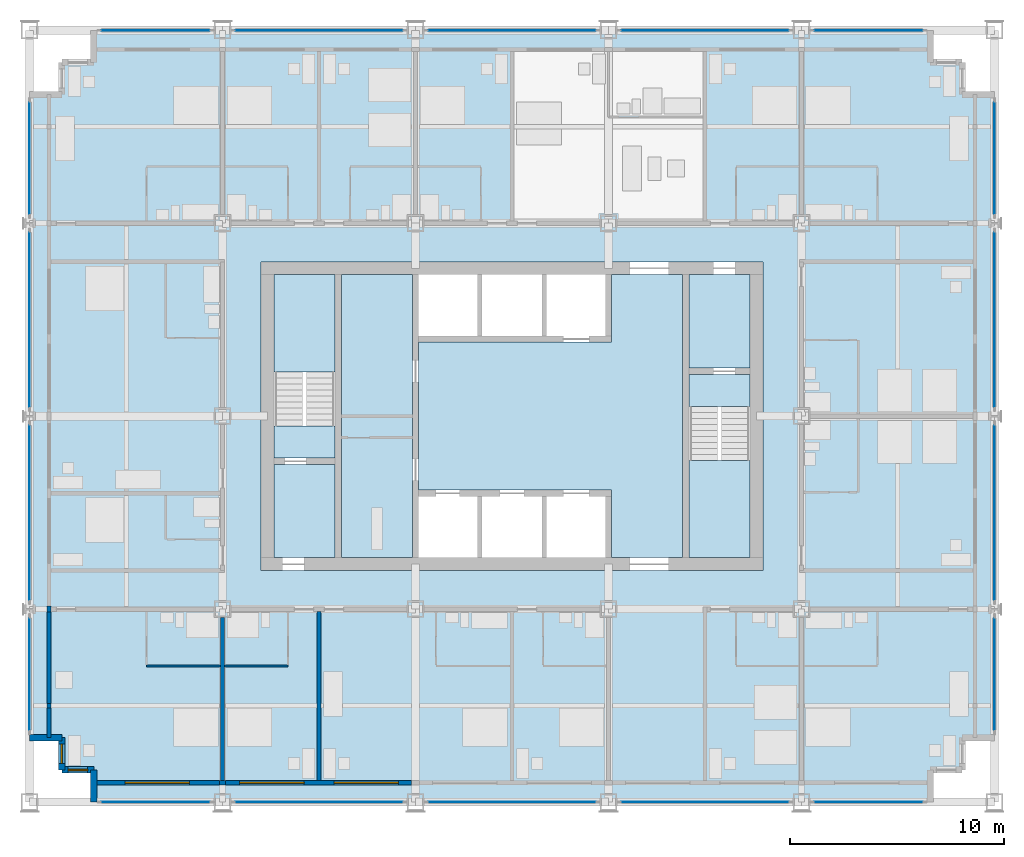
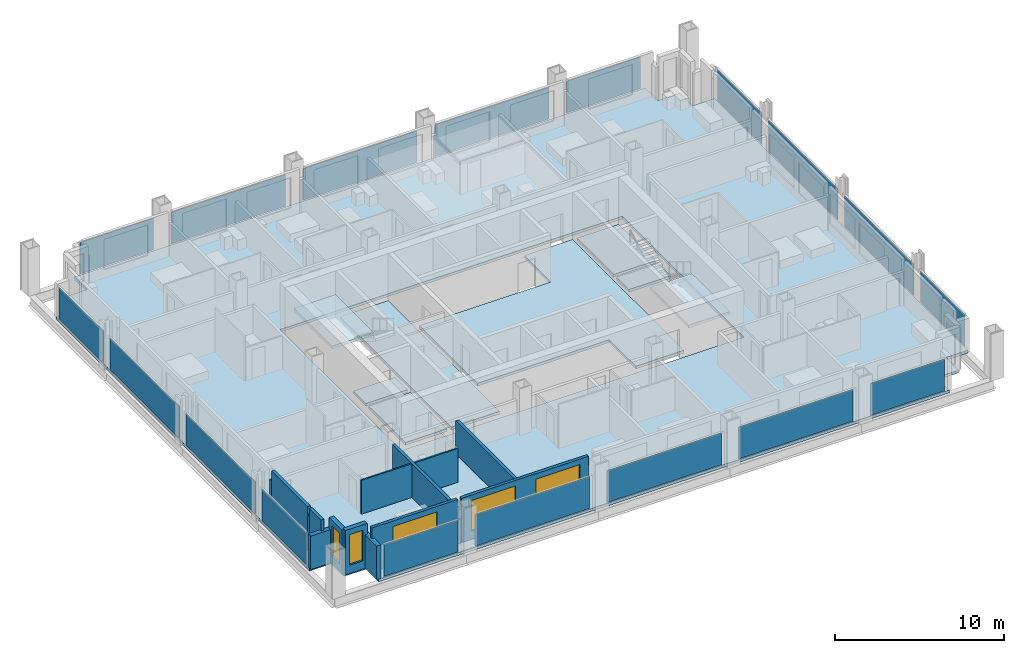
# One storey, part 8 of 16: 18 plates, 15 walls, 9 slabs, 5 windows, 5 openings, 20 elements without a shape of their own.
"""IFC4 building model written with IfcOpenShell, lengths in metres."""

import ifcopenshell
import ifcopenshell.guid

model = None  # the IFC model being written
_history = None  # IfcOwnerHistory: only IFC2X3 demands one
_inside = {}  # id of a spatial element -> (the spatial element, [elements in it])
_under = {}  # id of a project, library or spatial element -> (it, [spatial elements below it])
_declared = {}  # id of a project -> (the project, [libraries it declares])
_typed = {}  # id of a type object -> (the type object, [elements of that type])
_made_of = {}  # id of a material, layer set ... -> (it, [elements and type objects made of it])


def new_model(schema):
    """Start an empty IFC model of exactly this schema.

    Asked for "IFC4X3", IfcOpenShell would pick the latest addendum, in which some entities
    have other attributes; the version numbers below select the first issue.
    IFC2X3 requires an IfcOwnerHistory on every rooted entity: one is made here for all.
    """
    global model, _history
    if schema == "IFC4X3":
        model = ifcopenshell.file(schema_version=(4, 3, 0, 0))
    else:
        model = ifcopenshell.file(schema=schema)
    _inside.clear()
    _under.clear()
    _declared.clear()
    _typed.clear()
    _made_of.clear()
    _history = None
    if model.schema == "IFC2X3":
        org = make("IfcOrganization", Name="unknown")
        user = make(
            "IfcPersonAndOrganization",
            ThePerson=make("IfcPerson", FamilyName="unknown"),
            TheOrganization=org,
        )
        app = make(
            "IfcApplication",
            ApplicationDeveloper=org,
            Version="unknown",
            ApplicationFullName="unknown",
            ApplicationIdentifier="unknown",
        )
        _history = make(
            "IfcOwnerHistory",
            OwningUser=user,
            OwningApplication=app,
            ChangeAction="ADDED",
            CreationDate=0,
        )
    return model


def make(cls, **values):
    """One entity of the class cls with the attributes given. An attribute that is None is left unset."""
    return model.create_entity(
        cls, **{name: value for name, value in values.items() if value is not None}
    )


def rooted(cls, **values):
    """An entity with a GlobalId (a new one), such as an element, a storey or a relation."""
    return make(cls, GlobalId=ifcopenshell.guid.new(), OwnerHistory=_history, **values)


def si_unit(unit_type, name, prefix=None):
    """IfcSIUnit, for example si_unit("LENGTHUNIT", "METRE", prefix="MILLI")."""
    return make("IfcSIUnit", UnitType=unit_type, Prefix=prefix, Name=name)


def assignment(units):
    """IfcUnitAssignment: the units of a project."""
    return None if units is None else make("IfcUnitAssignment", Units=units)


def point(xyz):
    """IfcCartesianPoint."""
    return None if xyz is None else make("IfcCartesianPoint", Coordinates=xyz)


def direction(xyz):
    """IfcDirection."""
    return None if xyz is None else make("IfcDirection", DirectionRatios=xyz)


def frame(location, z_axis=None, x_axis=None):
    """IfcAxis2Placement3D, a coordinate frame: its origin and axes. An axis left out is left unset."""
    return make(
        "IfcAxis2Placement3D",
        Location=point(location),
        Axis=direction(z_axis),
        RefDirection=direction(x_axis),
    )


def frame_2d(location, x_axis=None):
    """IfcAxis2Placement2D, a coordinate frame in the plane: its origin and x axis."""
    return make(
        "IfcAxis2Placement2D", Location=point(location), RefDirection=direction(x_axis)
    )


def origin():
    """The frame at (0, 0, 0) with its axes left unset."""
    return frame((0.0, 0.0, 0.0))


def origin_2d():
    """The frame at (0, 0) in the plane with its x axis left unset."""
    return frame_2d((0.0, 0.0))


def place(relative_to, where):
    """IfcLocalPlacement: puts the frame where relative to a parent placement (None: the world)."""
    return make(
        "IfcLocalPlacement", PlacementRelTo=relative_to, RelativePlacement=where
    )


def context(
    kind, dimensions, precision=None, world=None, true_north=None, identifier=None
):
    """IfcGeometricRepresentationContext, for example the 3D "Model" context."""
    return make(
        "IfcGeometricRepresentationContext",
        ContextIdentifier=identifier,
        ContextType=kind,
        CoordinateSpaceDimension=dimensions,
        Precision=precision,
        WorldCoordinateSystem=world,
        TrueNorth=true_north,
    )


def subcontext(parent, identifier, kind, view, scale=None):
    """IfcGeometricRepresentationSubContext, for example "Body" below "Model"."""
    return make(
        "IfcGeometricRepresentationSubContext",
        ContextIdentifier=identifier,
        ContextType=kind,
        ParentContext=parent,
        TargetScale=scale,
        TargetView=view,
    )


def project(units=None, contexts=None):
    """IfcProject with its units and contexts."""
    return rooted(
        "IfcProject",
        Name="project",
        RepresentationContexts=contexts,
        UnitsInContext=assignment(units),
    )


def spatial(cls, under=None, at=None, **own):
    """A site, building, storey or space (cls), placed at a placement, below another one or the project."""
    s = rooted(cls, ObjectPlacement=at, **own)
    if under is not None:
        _under.setdefault(under.id(), (under, []))[1].append(s)
    return s


def polyline(points):
    """IfcPolyline through the points."""
    return make("IfcPolyline", Points=[point(p) for p in points])


def profile(cls, at=None, kind="AREA", **sizes):
    """A parametric profile (cls). Its sizes go by their IFC names, for example OverallWidth=200.0."""
    return make(cls, ProfileType=kind, Position=at, **sizes)


def rectangle(**sizes):
    """IfcRectangleProfileDef."""
    return profile("IfcRectangleProfileDef", **sizes)


def outline(outer, holes=None, kind="AREA"):
    """IfcArbitraryClosedProfileDef: a profile drawn as a closed curve; with holes, ...WithVoids."""
    if holes is None:
        return make("IfcArbitraryClosedProfileDef", ProfileType=kind, OuterCurve=outer)
    return make(
        "IfcArbitraryProfileDefWithVoids",
        ProfileType=kind,
        OuterCurve=outer,
        InnerCurves=holes,
    )


def extrude(swept, where, along, depth):
    """IfcExtrudedAreaSolid: the profile swept, set in the frame where, extruded along a direction by depth."""
    return make(
        "IfcExtrudedAreaSolid",
        SweptArea=swept,
        Position=where,
        ExtrudedDirection=direction(along),
        Depth=depth,
    )


def shape(context_of_items, identifier, shape_type, items):
    """IfcShapeRepresentation: the items that make up one representation, for example the "Body"."""
    return make(
        "IfcShapeRepresentation",
        ContextOfItems=context_of_items,
        RepresentationIdentifier=identifier,
        RepresentationType=shape_type,
        Items=items,
    )


def material(Name=None, Category=None):
    """IfcMaterial."""
    return make("IfcMaterial", Name=Name, Category=Category)


def layer(
    of_material, thickness, ventilated=None, Name=None, Category=None, Priority=None
):
    """IfcMaterialLayer: one layer of a wall or slab, of a material (None: an air gap)."""
    return make(
        "IfcMaterialLayer",
        Material=of_material,
        LayerThickness=thickness,
        IsVentilated=ventilated,
        Name=Name,
        Category=Category,
        Priority=Priority,
    )


def layer_set(layers, Name=None):
    """IfcMaterialLayerSet."""
    return make("IfcMaterialLayerSet", MaterialLayers=layers, LayerSetName=Name)


def made_of(thing, what):
    """Note that an element or type object is made of a material, layer set ...; save() writes the relation."""
    if what is not None:
        _made_of.setdefault(what.id(), (what, []))[1].append(thing)
    return thing


def type_object(cls, material=None, **own):
    """A type object (cls), such as IfcWallType, which elements share."""
    return made_of(rooted(cls, **own), material)


def element(
    cls,
    number,
    at=None,
    inside=None,
    cuts=None,
    type_object=None,
    material=None,
    context=None,
    identifier="Body",
    shape_type=None,
    held_by="IfcProductDefinitionShape",
    body=None,
    shapes=None,
    **own,
):
    """One element of the class cls, such as IfcWall. Its Tag is "e" and its number.

    at: its placement. inside: the storey or other place that contains it. cuts: it is an
    opening in that element (IfcRelVoidsElement). A single representation is given by context,
    identifier, shape_type and body (its items); several are given by shapes. held_by: the class
    of the entity that holds the representations. save() writes the other relations.
    """
    e = rooted(cls, Tag="e%d" % number, ObjectPlacement=at, **own)
    if body is not None:
        shapes = [shape(context, identifier, shape_type, body)]
    if shapes is not None:
        e.Representation = make(held_by, Representations=shapes)
    if inside is not None:
        _inside.setdefault(inside.id(), (inside, []))[1].append(e)
    if cuts is not None:
        rooted(
            "IfcRelVoidsElement", RelatingBuildingElement=cuts, RelatedOpeningElement=e
        )
    if type_object is not None:
        _typed.setdefault(type_object.id(), (type_object, []))[1].append(e)
    return made_of(e, material)


def fill(opening, filler):
    """IfcRelFillsElement: the door or window that sits in an opening."""
    return rooted(
        "IfcRelFillsElement",
        RelatingOpeningElement=opening,
        RelatedBuildingElement=filler,
    )


def aggregate(whole, parts):
    """IfcRelAggregates: a whole, such as a stair, and the parts it consists of."""
    return rooted("IfcRelAggregates", RelatingObject=whole, RelatedObjects=parts)


def save(model, path):
    """Write the relations noted so far, then the file.

    IfcRelAggregates (storeys below a building ...), IfcRelContainedInSpatialStructure (elements
    in a storey), IfcRelDefinesByType, IfcRelAssociatesMaterial and IfcRelDeclares: one each for
    every whole, place, type object, material and project.
    """
    for whole, parts in _under.values():
        aggregate(whole, parts)
    for where, things in _inside.values():
        rooted(
            "IfcRelContainedInSpatialStructure",
            RelatedElements=things,
            RelatingStructure=where,
        )
    for kind, things in _typed.values():
        rooted("IfcRelDefinesByType", RelatedObjects=things, RelatingType=kind)
    for what, things in _made_of.values():
        rooted("IfcRelAssociatesMaterial", RelatedObjects=things, RelatingMaterial=what)
    for by, libraries in _declared.values():
        rooted("IfcRelDeclares", RelatingContext=by, RelatedDefinitions=libraries)
    model.write(path)


model = new_model("IFC4")

# Units and contexts
model_context = context("Model", 3, precision=1e-05, world=origin(), true_north=direction((0.0, 1.0)))
body_context = subcontext(model_context, "Body", "Model", "MODEL_VIEW")
ifc_project = project(units=[si_unit("LENGTHUNIT", "METRE"), si_unit("AREAUNIT", "SQUARE_METRE"), si_unit("VOLUMEUNIT", "CUBIC_METRE"), si_unit("PLANEANGLEUNIT", "RADIAN"), si_unit("MASSUNIT", "GRAM", prefix="KILO")], contexts=[model_context])

# Site, building, storey
site_placement = place(None, origin())
site = spatial("IfcSite", under=ifc_project, at=site_placement, CompositionType="ELEMENT")
building_placement = place(site_placement, origin())
building = spatial("IfcBuilding", under=site, at=building_placement, Name="Loomwork Tower", CompositionType="ELEMENT")
storey_placement = place(building_placement, frame((0.0, 0.0, 101.0)))
storey = spatial("IfcBuildingStorey", under=building, at=storey_placement, Name="L26", CompositionType="ELEMENT", Elevation=101.0)

# Slabs
ifc_material_1 = material(Name="Concrete 5000 psi (34 MPa) on composite metal deck", Category="concrete")
ifc_layer_1 = layer(ifc_material_1, 0.199951171875)
ifc_layer_set_1 = layer_set([ifc_layer_1], Name="Floor slab 200")
slab_type_1 = type_object("IfcSlabType", Name="Floor slab 200", PredefinedType="FLOOR", material=ifc_layer_set_1)
slab_1_placement = place(storey_placement, frame((0.0, 0.0, -0.199951171875)))
element("IfcSlab", 1, at=slab_1_placement, inside=storey, type_object=slab_type_1, Name="Floor slab L26", PredefinedType="FLOOR", context=body_context, shape_type="SweptSolid", body=[
    extrude(outline(polyline([(3.0, 1.5), (1.5, 1.5), (1.5, 3.0), (0.0, 3.0), (0.0, 33.0), (1.5, 33.0), (1.5, 34.5), (3.0, 34.5), (3.0, 36.0), (42.0, 36.0), (42.0, 34.5), (43.5, 34.5), (43.5, 33.0), (45.0, 33.0), (45.0, 3.0), (43.5, 3.0), (43.5, 1.5), (42.0, 1.5), (42.0, 0.0), (3.0, 0.0), (3.0, 1.5)]), holes=[polyline([(10.800048828125, 11.39990234375), (10.800048828125, 11.39990234375), (10.800048828125, 10.800048828125), (34.199951171875, 10.800048828125), (34.199951171875, 11.39990234375), (34.199951171875, 11.39990234375), (34.199951171875, 24.60009765625), (34.199951171875, 25.199951171875), (10.800048828125, 25.199951171875), (10.800048828125, 24.60009765625), (10.800048828125, 11.39990234375)])]), origin(), (0.0, 0.0, 1.0), 0.199951171875),
])
slab_2_placement = place(storey_placement, frame((0.0, 0.0, -0.199951171875)))
element("IfcSlab", 2, at=slab_2_placement, inside=storey, type_object=slab_type_1, Name="Floor slab L26", PredefinedType="FLOOR", context=body_context, shape_type="SweptSolid", body=[
    extrude(outline(polyline([(30.449951171875, 24.60009765625), (30.449951171875, 11.39990234375), (27.14990234375, 11.39990234375), (27.14990234375, 14.25), (27.14990234375, 14.550048828125), (18.14990234375, 14.550048828125), (18.14990234375, 21.449951171875), (27.14990234375, 21.449951171875), (27.14990234375, 21.75), (27.14990234375, 24.60009765625), (30.449951171875, 24.60009765625)])), origin(), (0.0, 0.0, 1.0), 0.199951171875),
])
slab_3_placement = place(storey_placement, frame((0.0, 0.0, -0.199951171875)))
element("IfcSlab", 3, at=slab_3_placement, inside=storey, type_object=slab_type_1, Name="Floor slab L26", PredefinedType="FLOOR", context=body_context, shape_type="SweptSolid", body=[
    extrude(outline(polyline([(14.550048828125, 11.39990234375), (14.550048828125, 24.60009765625), (17.85009765625, 24.60009765625), (17.85009765625, 11.39990234375), (14.550048828125, 11.39990234375)])), origin(), (0.0, 0.0, 1.0), 0.199951171875),
])
slab_4_placement = place(storey_placement, frame((0.0, 0.0, -0.199951171875)))
element("IfcSlab", 4, at=slab_4_placement, inside=storey, type_object=slab_type_1, Name="Floor slab L26", PredefinedType="FLOOR", context=body_context, shape_type="SweptSolid", body=[
    extrude(outline(polyline([(33.60009765625, 20.25), (30.75, 20.25), (30.75, 24.60009765625), (33.60009765625, 24.60009765625), (33.60009765625, 20.25)])), origin(), (0.0, 0.0, 1.0), 0.199951171875),
])
slab_5_placement = place(storey_placement, frame((0.0, 0.0, -0.199951171875)))
element("IfcSlab", 5, at=slab_5_placement, inside=storey, type_object=slab_type_1, Name="Floor slab L26", PredefinedType="FLOOR", context=body_context, shape_type="SweptSolid", body=[
    extrude(outline(polyline([(14.25, 15.75), (14.25, 11.39990234375), (11.39990234375, 11.39990234375), (11.39990234375, 15.75), (14.25, 15.75)])), origin(), (0.0, 0.0, 1.0), 0.199951171875),
])

# Curtain wall, plate
ifc_material_2 = material(Name="Aluminium curtain wall frame", Category="aluminium")
curtain_wall_type = type_object("IfcCurtainWallType", Name="Outer skin glazing hotel", PredefinedType="NOTDEFINED", material=ifc_material_2)
curtain_wall_1_placement = place(storey_placement, origin())
curtain_wall_1 = element("IfcCurtainWall", 6, at=curtain_wall_1_placement, inside=storey, type_object=curtain_wall_type, Name="Outer skin glazing hotel cw/S-0", PredefinedType="NOTDEFINED")
ifc_material_3 = material(Name="Clear laminated glass", Category="glass")
ifc_layer_2 = layer(ifc_material_3, 0.02392578125)
ifc_layer_set_2 = layer_set([ifc_layer_2], Name="Outer skin glazing hotel panel")
plate_type = type_object("IfcPlateType", Name="Outer skin glazing hotel panel", PredefinedType="CURTAIN_PANEL", material=ifc_layer_set_2)
plate_1_placement = place(storey_placement, frame((5.875, 0.0, 0.06494140625), z_axis=(0.0, 0.0, 1.0), x_axis=(1.0, 0.0, 0.0)))
plate_1 = element("IfcPlate", 7, at=plate_1_placement, type_object=plate_type, Name="CW1 panel 1.1", PredefinedType="CURTAIN_PANEL", context=body_context, shape_type="SweptSolid", body=[
    extrude(rectangle(XDim=5.050048828125, YDim=0.02392578125, at=origin_2d()), origin(), (0.0, 0.0, 1.0), 2.290283203125),
])
aggregate(curtain_wall_1, [plate_1])

curtain_wall_2_placement = place(storey_placement, origin())
curtain_wall_2 = element("IfcCurtainWall", 8, at=curtain_wall_2_placement, inside=storey, type_object=curtain_wall_type, Name="Outer skin glazing hotel cw/S-9", PredefinedType="NOTDEFINED")
plate_2_placement = place(storey_placement, frame((13.5, 0.0, 0.06494140625), z_axis=(0.0, 0.0, 1.0), x_axis=(1.0, 0.0, 0.0)))
plate_2 = element("IfcPlate", 9, at=plate_2_placement, type_object=plate_type, Name="CW1 panel 1.1", PredefinedType="CURTAIN_PANEL", context=body_context, shape_type="SweptSolid", body=[
    extrude(rectangle(XDim=7.800048828125, YDim=0.02392578125, at=origin_2d()), origin(), (0.0, 0.0, 1.0), 2.290283203125),
])
aggregate(curtain_wall_2, [plate_2])

curtain_wall_3_placement = place(storey_placement, origin())
curtain_wall_3 = element("IfcCurtainWall", 10, at=curtain_wall_3_placement, inside=storey, type_object=curtain_wall_type, Name="Outer skin glazing hotel cw/S-18", PredefinedType="NOTDEFINED")
plate_3_placement = place(storey_placement, frame((22.5, 0.0, 0.06494140625), z_axis=(0.0, 0.0, 1.0), x_axis=(1.0, 0.0, 0.0)))
plate_3 = element("IfcPlate", 11, at=plate_3_placement, type_object=plate_type, Name="CW1 panel 1.1", PredefinedType="CURTAIN_PANEL", context=body_context, shape_type="SweptSolid", body=[
    extrude(rectangle(XDim=7.800048828125, YDim=0.02392578125, at=origin_2d()), origin(), (0.0, 0.0, 1.0), 2.290283203125),
])
aggregate(curtain_wall_3, [plate_3])

curtain_wall_4_placement = place(storey_placement, origin())
curtain_wall_4 = element("IfcCurtainWall", 12, at=curtain_wall_4_placement, inside=storey, type_object=curtain_wall_type, Name="Outer skin glazing hotel cw/S-27", PredefinedType="NOTDEFINED")
plate_4_placement = place(storey_placement, frame((31.5, 0.0, 0.06494140625), z_axis=(0.0, 0.0, 1.0), x_axis=(1.0, 0.0, 0.0)))
plate_4 = element("IfcPlate", 13, at=plate_4_placement, type_object=plate_type, Name="CW1 panel 1.1", PredefinedType="CURTAIN_PANEL", context=body_context, shape_type="SweptSolid", body=[
    extrude(rectangle(XDim=7.800048828125, YDim=0.02392578125, at=origin_2d()), origin(), (0.0, 0.0, 1.0), 2.290283203125),
])
aggregate(curtain_wall_4, [plate_4])

curtain_wall_5_placement = place(storey_placement, origin())
curtain_wall_5 = element("IfcCurtainWall", 14, at=curtain_wall_5_placement, inside=storey, type_object=curtain_wall_type, Name="Outer skin glazing hotel cw/S-36", PredefinedType="NOTDEFINED")
plate_5_placement = place(storey_placement, frame((39.125, 0.0, 0.06494140625), z_axis=(0.0, 0.0, 1.0), x_axis=(1.0, 0.0, 0.0)))
plate_5 = element("IfcPlate", 15, at=plate_5_placement, type_object=plate_type, Name="CW1 panel 1.1", PredefinedType="CURTAIN_PANEL", context=body_context, shape_type="SweptSolid", body=[
    extrude(rectangle(XDim=5.050048828125, YDim=0.02392578125, at=origin_2d()), origin(), (0.0, 0.0, 1.0), 2.290283203125),
])
aggregate(curtain_wall_5, [plate_5])

curtain_wall_6_placement = place(storey_placement, origin())
curtain_wall_6 = element("IfcCurtainWall", 16, at=curtain_wall_6_placement, inside=storey, type_object=curtain_wall_type, Name="Outer skin glazing hotel cw/N-0", PredefinedType="NOTDEFINED")
plate_6_placement = place(storey_placement, frame((5.875, 36.0, 0.06494140625), z_axis=(0.0, 0.0, 1.0), x_axis=(-1.0, 0.0, 0.0)))
plate_6 = element("IfcPlate", 17, at=plate_6_placement, type_object=plate_type, Name="CW1 panel 1.1", PredefinedType="CURTAIN_PANEL", context=body_context, shape_type="SweptSolid", body=[
    extrude(rectangle(XDim=5.050048828125, YDim=0.02392578125, at=origin_2d()), origin(), (0.0, 0.0, 1.0), 2.290283203125),
])
aggregate(curtain_wall_6, [plate_6])

curtain_wall_7_placement = place(storey_placement, origin())
curtain_wall_7 = element("IfcCurtainWall", 18, at=curtain_wall_7_placement, inside=storey, type_object=curtain_wall_type, Name="Outer skin glazing hotel cw/N-9", PredefinedType="NOTDEFINED")
plate_7_placement = place(storey_placement, frame((13.5, 36.0, 0.06494140625), z_axis=(0.0, 0.0, 1.0), x_axis=(-1.0, 0.0, 0.0)))
plate_7 = element("IfcPlate", 19, at=plate_7_placement, type_object=plate_type, Name="CW1 panel 1.1", PredefinedType="CURTAIN_PANEL", context=body_context, shape_type="SweptSolid", body=[
    extrude(rectangle(XDim=7.800048828125, YDim=0.02392578125, at=origin_2d()), origin(), (0.0, 0.0, 1.0), 2.290283203125),
])
aggregate(curtain_wall_7, [plate_7])

curtain_wall_8_placement = place(storey_placement, origin())
curtain_wall_8 = element("IfcCurtainWall", 20, at=curtain_wall_8_placement, inside=storey, type_object=curtain_wall_type, Name="Outer skin glazing hotel cw/N-18", PredefinedType="NOTDEFINED")
plate_8_placement = place(storey_placement, frame((22.5, 36.0, 0.06494140625), z_axis=(0.0, 0.0, 1.0), x_axis=(-1.0, 0.0, 0.0)))
plate_8 = element("IfcPlate", 21, at=plate_8_placement, type_object=plate_type, Name="CW1 panel 1.1", PredefinedType="CURTAIN_PANEL", context=body_context, shape_type="SweptSolid", body=[
    extrude(rectangle(XDim=7.800048828125, YDim=0.02392578125, at=origin_2d()), origin(), (0.0, 0.0, 1.0), 2.290283203125),
])
aggregate(curtain_wall_8, [plate_8])

curtain_wall_9_placement = place(storey_placement, origin())
curtain_wall_9 = element("IfcCurtainWall", 22, at=curtain_wall_9_placement, inside=storey, type_object=curtain_wall_type, Name="Outer skin glazing hotel cw/N-27", PredefinedType="NOTDEFINED")
plate_9_placement = place(storey_placement, frame((31.5, 36.0, 0.06494140625), z_axis=(0.0, 0.0, 1.0), x_axis=(-1.0, 0.0, 0.0)))
plate_9 = element("IfcPlate", 23, at=plate_9_placement, type_object=plate_type, Name="CW1 panel 1.1", PredefinedType="CURTAIN_PANEL", context=body_context, shape_type="SweptSolid", body=[
    extrude(rectangle(XDim=7.800048828125, YDim=0.02392578125, at=origin_2d()), origin(), (0.0, 0.0, 1.0), 2.290283203125),
])
aggregate(curtain_wall_9, [plate_9])

curtain_wall_10_placement = place(storey_placement, origin())
curtain_wall_10 = element("IfcCurtainWall", 24, at=curtain_wall_10_placement, inside=storey, type_object=curtain_wall_type, Name="Outer skin glazing hotel cw/N-36", PredefinedType="NOTDEFINED")
plate_10_placement = place(storey_placement, frame((39.125, 36.0, 0.06494140625), z_axis=(0.0, 0.0, 1.0), x_axis=(-1.0, 0.0, 0.0)))
plate_10 = element("IfcPlate", 25, at=plate_10_placement, type_object=plate_type, Name="CW1 panel 1.1", PredefinedType="CURTAIN_PANEL", context=body_context, shape_type="SweptSolid", body=[
    extrude(rectangle(XDim=5.050048828125, YDim=0.02392578125, at=origin_2d()), origin(), (0.0, 0.0, 1.0), 2.290283203125),
])
aggregate(curtain_wall_10, [plate_10])

curtain_wall_11_placement = place(storey_placement, origin())
curtain_wall_11 = element("IfcCurtainWall", 26, at=curtain_wall_11_placement, inside=storey, type_object=curtain_wall_type, Name="Outer skin glazing hotel cw/W-0", PredefinedType="NOTDEFINED")
plate_11_placement = place(storey_placement, frame((0.0, 5.962646484375, 0.06494140625), z_axis=(0.0, 0.0, 1.0), x_axis=(0.0, -1.0, 0.0)))
plate_11 = element("IfcPlate", 27, at=plate_11_placement, type_object=plate_type, Name="CW1 panel 1.1", PredefinedType="CURTAIN_PANEL", context=body_context, shape_type="SweptSolid", body=[
    extrude(rectangle(XDim=5.22509765625, YDim=0.02392578125, at=origin_2d()), origin(), (0.0, 0.0, 1.0), 2.290283203125),
])
aggregate(curtain_wall_11, [plate_11])

curtain_wall_12_placement = place(storey_placement, origin())
curtain_wall_12 = element("IfcCurtainWall", 28, at=curtain_wall_12_placement, inside=storey, type_object=curtain_wall_type, Name="Outer skin glazing hotel cw/W-9", PredefinedType="NOTDEFINED")
plate_12_placement = place(storey_placement, frame((0.0, 13.5, 0.06494140625), z_axis=(0.0, 0.0, 1.0), x_axis=(0.0, -1.0, 0.0)))
plate_12 = element("IfcPlate", 29, at=plate_12_placement, type_object=plate_type, Name="CW1 panel 1.1", PredefinedType="CURTAIN_PANEL", context=body_context, shape_type="SweptSolid", body=[
    extrude(rectangle(XDim=8.150390625, YDim=0.02392578125, at=origin_2d()), origin(), (0.0, 0.0, 1.0), 2.290283203125),
])
aggregate(curtain_wall_12, [plate_12])

curtain_wall_13_placement = place(storey_placement, origin())
curtain_wall_13 = element("IfcCurtainWall", 30, at=curtain_wall_13_placement, inside=storey, type_object=curtain_wall_type, Name="Outer skin glazing hotel cw/W-18", PredefinedType="NOTDEFINED")
plate_13_placement = place(storey_placement, frame((0.0, 22.5, 0.06494140625), z_axis=(0.0, 0.0, 1.0), x_axis=(0.0, -1.0, 0.0)))
plate_13 = element("IfcPlate", 31, at=plate_13_placement, type_object=plate_type, Name="CW1 panel 1.1", PredefinedType="CURTAIN_PANEL", context=body_context, shape_type="SweptSolid", body=[
    extrude(rectangle(XDim=8.150390625, YDim=0.02392578125, at=origin_2d()), origin(), (0.0, 0.0, 1.0), 2.290283203125),
])
aggregate(curtain_wall_13, [plate_13])

curtain_wall_14_placement = place(storey_placement, origin())
curtain_wall_14 = element("IfcCurtainWall", 32, at=curtain_wall_14_placement, inside=storey, type_object=curtain_wall_type, Name="Outer skin glazing hotel cw/W-27", PredefinedType="NOTDEFINED")
plate_14_placement = place(storey_placement, frame((0.0, 30.037353515625, 0.06494140625), z_axis=(0.0, 0.0, 1.0), x_axis=(0.0, -1.0, 0.0)))
plate_14 = element("IfcPlate", 33, at=plate_14_placement, type_object=plate_type, Name="CW1 panel 1.1", PredefinedType="CURTAIN_PANEL", context=body_context, shape_type="SweptSolid", body=[
    extrude(rectangle(XDim=5.22509765625, YDim=0.02392578125, at=origin_2d()), origin(), (0.0, 0.0, 1.0), 2.290283203125),
])
aggregate(curtain_wall_14, [plate_14])

curtain_wall_15_placement = place(storey_placement, origin())
curtain_wall_15 = element("IfcCurtainWall", 34, at=curtain_wall_15_placement, inside=storey, type_object=curtain_wall_type, Name="Outer skin glazing hotel cw/E-0", PredefinedType="NOTDEFINED")
plate_15_placement = place(storey_placement, frame((45.0, 5.962646484375, 0.06494140625), z_axis=(0.0, 0.0, 1.0), x_axis=(0.0, 1.0, 0.0)))
plate_15 = element("IfcPlate", 35, at=plate_15_placement, type_object=plate_type, Name="CW1 panel 1.1", PredefinedType="CURTAIN_PANEL", context=body_context, shape_type="SweptSolid", body=[
    extrude(rectangle(XDim=5.22509765625, YDim=0.02392578125, at=origin_2d()), origin(), (0.0, 0.0, 1.0), 2.290283203125),
])
aggregate(curtain_wall_15, [plate_15])

curtain_wall_16_placement = place(storey_placement, origin())
curtain_wall_16 = element("IfcCurtainWall", 36, at=curtain_wall_16_placement, inside=storey, type_object=curtain_wall_type, Name="Outer skin glazing hotel cw/E-9", PredefinedType="NOTDEFINED")
plate_16_placement = place(storey_placement, frame((45.0, 13.5, 0.06494140625), z_axis=(0.0, 0.0, 1.0), x_axis=(0.0, 1.0, 0.0)))
plate_16 = element("IfcPlate", 37, at=plate_16_placement, type_object=plate_type, Name="CW1 panel 1.1", PredefinedType="CURTAIN_PANEL", context=body_context, shape_type="SweptSolid", body=[
    extrude(rectangle(XDim=8.150390625, YDim=0.02392578125, at=origin_2d()), origin(), (0.0, 0.0, 1.0), 2.290283203125),
])
aggregate(curtain_wall_16, [plate_16])

curtain_wall_17_placement = place(storey_placement, origin())
curtain_wall_17 = element("IfcCurtainWall", 38, at=curtain_wall_17_placement, inside=storey, type_object=curtain_wall_type, Name="Outer skin glazing hotel cw/E-18", PredefinedType="NOTDEFINED")
plate_17_placement = place(storey_placement, frame((45.0, 22.5, 0.06494140625), z_axis=(0.0, 0.0, 1.0), x_axis=(0.0, 1.0, 0.0)))
plate_17 = element("IfcPlate", 39, at=plate_17_placement, type_object=plate_type, Name="CW1 panel 1.1", PredefinedType="CURTAIN_PANEL", context=body_context, shape_type="SweptSolid", body=[
    extrude(rectangle(XDim=8.150390625, YDim=0.02392578125, at=origin_2d()), origin(), (0.0, 0.0, 1.0), 2.290283203125),
])
aggregate(curtain_wall_17, [plate_17])

curtain_wall_18_placement = place(storey_placement, origin())
curtain_wall_18 = element("IfcCurtainWall", 40, at=curtain_wall_18_placement, inside=storey, type_object=curtain_wall_type, Name="Outer skin glazing hotel cw/E-27", PredefinedType="NOTDEFINED")
plate_18_placement = place(storey_placement, frame((45.0, 30.037353515625, 0.06494140625), z_axis=(0.0, 0.0, 1.0), x_axis=(0.0, 1.0, 0.0)))
plate_18 = element("IfcPlate", 41, at=plate_18_placement, type_object=plate_type, Name="CW1 panel 1.1", PredefinedType="CURTAIN_PANEL", context=body_context, shape_type="SweptSolid", body=[
    extrude(rectangle(XDim=5.22509765625, YDim=0.02392578125, at=origin_2d()), origin(), (0.0, 0.0, 1.0), 2.290283203125),
])
aggregate(curtain_wall_18, [plate_18])

# Stair, slabs
ifc_material_4 = material(Name="Concrete 5000 psi (34 MPa) precast stair", Category="concrete")
stair_type_1 = type_object("IfcStairType", Name="Stair ST-A 20 risers 2850 wide", PredefinedType="HALF_TURN_STAIR", material=ifc_material_4)
stair_1_placement = place(storey_placement, origin())
stair_1 = element("IfcStair", 42, at=stair_1_placement, inside=storey, type_object=stair_type_1, Name="Stair A L26", PredefinedType="HALF_TURN_STAIR")
ifc_material_5 = material(Name="Concrete 5000 psi (34 MPa)", Category="concrete")
ifc_layer_3 = layer(ifc_material_5, 0.199951171875)
ifc_layer_set_3 = layer_set([ifc_layer_3], Name="Stair landing 200")
slab_type_2 = type_object("IfcSlabType", Name="Stair landing 200", PredefinedType="LANDING", material=ifc_layer_set_3)
slab_6_placement = place(storey_placement, frame((0.0, 0.0, -0.199951171875)))
slab_6 = element("IfcSlab", 43, at=slab_6_placement, type_object=slab_type_2, Name="ST-A landing 1", PredefinedType="LANDING", context=body_context, shape_type="SweptSolid", body=[
    extrude(outline(polyline([(11.39990234375, 16.050048828125), (14.25, 16.050048828125), (14.25, 17.550048828125), (11.39990234375, 17.550048828125), (11.39990234375, 16.050048828125)])), origin(), (0.0, 0.0, 1.0), 0.199951171875),
])
slab_7_placement = place(storey_placement, frame((0.0, 0.0, 1.5)))
slab_7 = element("IfcSlab", 44, at=slab_7_placement, type_object=slab_type_2, Name="ST-A landing 2", PredefinedType="LANDING", context=body_context, shape_type="SweptSolid", body=[
    extrude(outline(polyline([(11.39990234375, 20.070068359375), (14.25, 20.070068359375), (14.25, 24.60009765625), (11.39990234375, 24.60009765625), (11.39990234375, 20.070068359375)])), origin(), (0.0, 0.0, 1.0), 0.199951171875),
])
aggregate(stair_1, [slab_6, slab_7])

ifc_material_6 = material(Name="Concrete 5000 psi (34 MPa) precast stair", Category="concrete")
stair_type_2 = type_object("IfcStairType", Name="Stair ST-B 20 risers 2850 wide", PredefinedType="HALF_TURN_STAIR", material=ifc_material_6)
stair_2_placement = place(storey_placement, origin())
stair_2 = element("IfcStair", 45, at=stair_2_placement, inside=storey, type_object=stair_type_2, Name="Stair B L26", PredefinedType="HALF_TURN_STAIR")
slab_8_placement = place(storey_placement, frame((0.0, 0.0, -0.199951171875)))
slab_8 = element("IfcSlab", 46, at=slab_8_placement, type_object=slab_type_2, Name="ST-B landing 1", PredefinedType="LANDING", context=body_context, shape_type="SweptSolid", body=[
    extrude(outline(polyline([(30.75, 18.449951171875), (33.60009765625, 18.449951171875), (33.60009765625, 19.949951171875), (30.75, 19.949951171875), (30.75, 18.449951171875)])), origin(), (0.0, 0.0, 1.0), 0.199951171875),
])
slab_9_placement = place(storey_placement, frame((0.0, 0.0, 1.5)))
slab_9 = element("IfcSlab", 47, at=slab_9_placement, type_object=slab_type_2, Name="ST-B landing 2", PredefinedType="LANDING", context=body_context, shape_type="SweptSolid", body=[
    extrude(outline(polyline([(30.75, 11.39990234375), (33.60009765625, 11.39990234375), (33.60009765625, 15.929931640625), (30.75, 15.929931640625), (30.75, 11.39990234375)])), origin(), (0.0, 0.0, 1.0), 0.199951171875),
])
aggregate(stair_2, [slab_8, slab_9])

# Walls
ifc_material_7 = material(Name="Cement board on steel studs", Category="steel")
ifc_layer_4 = layer(ifc_material_7, 0.10009765625)
ifc_layer_set_4 = layer_set([ifc_layer_4], Name="En-suite partition 100")
wall_type_1 = type_object("IfcWallType", Name="En-suite partition 100", PredefinedType="PARTITIONING", material=ifc_layer_set_4)
wall_1_placement = place(storey_placement, frame((5.449951171875, 6.35009765625, 0.0), z_axis=(0.0, 0.0, 1.0), x_axis=(1.0, 0.0, 0.0)))
element("IfcWall", 48, at=wall_1_placement, inside=storey, type_object=wall_type_1, Name="En-suite wall L26 room 1", PredefinedType="PARTITIONING", context=body_context, shape_type="SweptSolid", body=[
    extrude(rectangle(XDim=3.449951171875, YDim=0.10009765625, at=frame_2d((1.72509765625, 0.0))), origin(), (0.0, 0.0, 1.0), 2.43798828125),
])
wall_2_placement = place(storey_placement, frame((9.10009765625, 6.35009765625, 0.0), z_axis=(0.0, 0.0, 1.0), x_axis=(1.0, 0.0, 0.0)))
element("IfcWall", 49, at=wall_2_placement, inside=storey, type_object=wall_type_1, Name="En-suite wall L26 room 2", PredefinedType="PARTITIONING", context=body_context, shape_type="SweptSolid", body=[
    extrude(rectangle(XDim=2.949951171875, YDim=0.10009765625, at=frame_2d((1.47509765625, 0.0))), origin(), (0.0, 0.0, 1.0), 2.43798828125),
])
ifc_material_8 = material(Name="Gypsum board on steel studs, acoustic", Category="steel")
ifc_layer_5 = layer(ifc_material_8, 0.199951171875)
ifc_layer_set_5 = layer_set([ifc_layer_5], Name="Guest room party wall 200")
wall_type_2 = type_object("IfcWallType", Name="Guest room party wall 200", PredefinedType="PARTITIONING", material=ifc_layer_set_5)
wall_3_placement = place(storey_placement, frame((9.0, 8.60009765625, 0.0), z_axis=(0.0, 0.0, 1.0), x_axis=(0.0, -1.0, 0.0)))
element("IfcWall", 50, at=wall_3_placement, inside=storey, type_object=wall_type_2, Name="Guest room party wall S 9", PredefinedType="PARTITIONING", context=body_context, shape_type="SweptSolid", body=[
    extrude(rectangle(XDim=7.60009765625, YDim=0.199951171875, at=frame_2d((3.800048828125, 0.0))), origin(), (0.0, 0.0, 1.0), 2.43798828125),
])
wall_4_placement = place(storey_placement, frame((13.5, 8.89990234375, 0.0), z_axis=(0.0, 0.0, 1.0), x_axis=(0.0, -1.0, 0.0)))
element("IfcWall", 51, at=wall_4_placement, inside=storey, type_object=wall_type_2, Name="Guest room party wall S 13.5", PredefinedType="PARTITIONING", context=body_context, shape_type="SweptSolid", body=[
    extrude(rectangle(XDim=7.89990234375, YDim=0.199951171875, at=frame_2d((3.949951171875, 0.0))), origin(), (0.0, 0.0, 1.0), 2.404052734375),
])

# Wall, opening, window
ifc_material_9 = material(Name="Insulated steel stud wall with gypsum lining", Category="steel")
ifc_layer_6 = layer(ifc_material_9, 0.199951171875)
ifc_layer_set_6 = layer_set([ifc_layer_6], Name="Inner skin wall 200")
wall_type_3 = type_object("IfcWallType", Name="Inner skin wall 200", PredefinedType="SOLIDWALL", material=ifc_layer_set_6)
wall_5_placement = place(storey_placement, frame((3.0, 0.89990234375, 0.0), z_axis=(0.0, 0.0, 1.0), x_axis=(1.0, 0.0, 0.0)))
wall_5 = element("IfcWall", 52, at=wall_5_placement, inside=storey, type_object=wall_type_3, Name="Inner skin wall S", PredefinedType="SOLIDWALL", context=body_context, shape_type="SweptSolid", body=[
    extrude(rectangle(XDim=5.86474609375, YDim=0.199951171875, at=frame_2d((2.932373046875, 0.0))), origin(), (0.0, 0.0, 1.0), 3.199951171875),
])
opening_1_placement = place(wall_5_placement, frame((1.449951171875, 0.0, 0.60009765625)))
opening_1 = element("IfcOpeningElement", 53, at=opening_1_placement, cuts=wall_5, Name="Opening CH1", PredefinedType="OPENING", context=body_context, shape_type="SweptSolid", body=[
    extrude(rectangle(XDim=3.0, YDim=2.199951171875, at=frame_2d((1.5, 1.10009765625))), frame((0.0, 0.10986328125, 0.0), z_axis=(0.0, -1.0, 0.0), x_axis=(1.0, 0.0, 0.0)), (0.0, 0.0, 1.0), 0.219970703125),
])
ifc_material_10 = material(Name="Aluminium frame with clear insulated glass", Category="aluminium")
window_type_1 = type_object("IfcWindowType", Name="Chicago window 3000", PartitioningType="TRIPLE_PANEL_VERTICAL", PredefinedType="WINDOW", material=ifc_material_10)
window_1_placement = place(opening_1_placement, origin())
window_1 = element("IfcWindow", 54, at=window_1_placement, inside=storey, type_object=window_type_1, Name="Chicago window L26 bay 1", OverallHeight=2.199951171875, OverallWidth=3.0, PartitioningType="TRIPLE_PANEL_VERTICAL", PredefinedType="WINDOW", context=body_context, shape_type="SweptSolid", body=[
    extrude(rectangle(XDim=3.0, YDim=2.199951171875, at=frame_2d((1.5, 1.10009765625))), frame((0.0, 0.030029296875, 0.0), z_axis=(0.0, -1.0, 0.0), x_axis=(1.0, 0.0, 0.0)), (0.0, 0.0, 1.0), 0.06005859375),
])
fill(opening_1, window_1)

# Walls
wall_6_placement = place(storey_placement, frame((0.89990234375, 3.0, 0.0), z_axis=(0.0, 0.0, 1.0), x_axis=(0.0, 1.0, 0.0)))
element("IfcWall", 55, at=wall_6_placement, inside=storey, type_object=wall_type_3, Name="Inner skin wall W", PredefinedType="SOLIDWALL", context=body_context, shape_type="SweptSolid", body=[
    extrude(rectangle(XDim=1.392578125, YDim=0.199951171875, at=frame_2d((0.6962890625, 0.0))), origin(), (0.0, 0.0, 1.0), 3.199951171875),
])
wall_7_placement = place(storey_placement, frame((8.86474609375, 0.89990234375, 0.0), z_axis=(0.0, 0.0, 1.0), x_axis=(1.0, 0.0, 0.0)))
element("IfcWall", 56, at=wall_7_placement, inside=storey, type_object=wall_type_3, Name="Inner skin wall S bay 2", PredefinedType="SOLIDWALL", context=body_context, shape_type="SweptSolid", body=[
    extrude(rectangle(XDim=0.2705078125, YDim=0.199951171875, at=frame_2d((0.13525390625, 0.0))), origin(), (0.0, 0.0, 1.0), 2.43798828125),
])

# Wall, openings, windows
wall_8_placement = place(storey_placement, frame((9.13525390625, 0.89990234375, 0.0), z_axis=(0.0, 0.0, 1.0), x_axis=(1.0, 0.0, 0.0)))
wall_8 = element("IfcWall", 57, at=wall_8_placement, inside=storey, type_object=wall_type_3, Name="Inner skin wall S bay 3", PredefinedType="SOLIDWALL", context=body_context, shape_type="SweptSolid", body=[
    extrude(rectangle(XDim=8.6708984375, YDim=0.199951171875, at=frame_2d((4.33544921875, 0.0))), origin(), (0.0, 0.0, 1.0), 3.199951171875),
])
opening_2_placement = place(wall_8_placement, frame((0.664794921875, 0.0, 0.60009765625)))
opening_2 = element("IfcOpeningElement", 58, at=opening_2_placement, cuts=wall_8, Name="Opening CH1", PredefinedType="OPENING", context=body_context, shape_type="SweptSolid", body=[
    extrude(rectangle(XDim=3.0, YDim=2.199951171875, at=frame_2d((1.5, 1.10009765625))), frame((0.0, 0.10986328125, 0.0), z_axis=(0.0, -1.0, 0.0), x_axis=(1.0, 0.0, 0.0)), (0.0, 0.0, 1.0), 0.219970703125),
])
opening_3_placement = place(wall_8_placement, frame((5.064697265625, 0.0, 0.60009765625)))
opening_3 = element("IfcOpeningElement", 59, at=opening_3_placement, cuts=wall_8, Name="Opening CH1", PredefinedType="OPENING", context=body_context, shape_type="SweptSolid", body=[
    extrude(rectangle(XDim=3.0, YDim=2.199951171875, at=frame_2d((1.5, 1.10009765625))), frame((0.0, 0.10986328125, 0.0), z_axis=(0.0, -1.0, 0.0), x_axis=(1.0, 0.0, 0.0)), (0.0, 0.0, 1.0), 0.219970703125),
])
window_2_placement = place(opening_2_placement, origin())
window_2 = element("IfcWindow", 60, at=window_2_placement, inside=storey, type_object=window_type_1, Name="Chicago window L26 bay 2", OverallHeight=2.199951171875, OverallWidth=3.0, PartitioningType="TRIPLE_PANEL_VERTICAL", PredefinedType="WINDOW", context=body_context, shape_type="SweptSolid", body=[
    extrude(rectangle(XDim=3.0, YDim=2.199951171875, at=frame_2d((1.5, 1.10009765625))), frame((0.0, 0.030029296875, 0.0), z_axis=(0.0, -1.0, 0.0), x_axis=(1.0, 0.0, 0.0)), (0.0, 0.0, 1.0), 0.06005859375),
])
fill(opening_2, window_2)
window_3_placement = place(opening_3_placement, origin())
window_3 = element("IfcWindow", 61, at=window_3_placement, inside=storey, type_object=window_type_1, Name="Chicago window L26 bay 2", OverallHeight=2.199951171875, OverallWidth=3.0, PartitioningType="TRIPLE_PANEL_VERTICAL", PredefinedType="WINDOW", context=body_context, shape_type="SweptSolid", body=[
    extrude(rectangle(XDim=3.0, YDim=2.199951171875, at=frame_2d((1.5, 1.10009765625))), frame((0.0, 0.030029296875, 0.0), z_axis=(0.0, -1.0, 0.0), x_axis=(1.0, 0.0, 0.0)), (0.0, 0.0, 1.0), 0.06005859375),
])
fill(opening_3, window_3)

# Walls
wall_9_placement = place(storey_placement, frame((0.89990234375, 4.392578125, 0.0), z_axis=(0.0, 0.0, 1.0), x_axis=(0.0, 1.0, 0.0)))
element("IfcWall", 62, at=wall_9_placement, inside=storey, type_object=wall_type_3, Name="Inner skin wall W bay 2", PredefinedType="SOLIDWALL", context=body_context, shape_type="SweptSolid", body=[
    extrude(rectangle(XDim=0.21484375, YDim=0.199951171875, at=frame_2d((0.107421875, 0.0))), origin(), (0.0, 0.0, 1.0), 2.660888671875),
])
wall_10_placement = place(storey_placement, frame((0.89990234375, 4.607421875, 0.0), z_axis=(0.0, 0.0, 1.0), x_axis=(0.0, 1.0, 0.0)))
element("IfcWall", 63, at=wall_10_placement, inside=storey, type_object=wall_type_3, Name="Inner skin wall W bay 3", PredefinedType="SOLIDWALL", context=body_context, shape_type="SweptSolid", body=[
    extrude(rectangle(XDim=4.25732421875, YDim=0.199951171875, at=frame_2d((2.128662109375, 0.0))), origin(), (0.0, 0.0, 1.0), 3.199951171875),
])
wall_11_placement = place(storey_placement, frame((0.89990234375, 8.86474609375, 0.0), z_axis=(0.0, 0.0, 1.0), x_axis=(0.0, 1.0, 0.0)))
element("IfcWall", 64, at=wall_11_placement, inside=storey, type_object=wall_type_3, Name="Inner skin wall W bay 4", PredefinedType="SOLIDWALL", context=body_context, shape_type="SweptSolid", body=[
    extrude(rectangle(XDim=0.2705078125, YDim=0.199951171875, at=frame_2d((0.13525390625, 0.0))), origin(), (0.0, 0.0, 1.0), 2.43798828125),
])
ifc_material_11 = material(Name="Limestone on concrete masonry", Category="masonry")
ifc_layer_7 = layer(ifc_material_11, 0.300048828125)
ifc_layer_set_7 = layer_set([ifc_layer_7], Name="Limestone corner wall 300")
wall_type_4 = type_object("IfcWallType", Name="Limestone corner wall 300", PredefinedType="SOLIDWALL", material=ifc_layer_set_7)
wall_12_placement = place(storey_placement, frame((0.0, 3.0, 0.0), z_axis=(0.0, 0.0, 1.0), x_axis=(1.0, 0.0, 0.0)))
element("IfcWall", 65, at=wall_12_placement, inside=storey, type_object=wall_type_4, Name="Stone corner wall SW 1", PredefinedType="SOLIDWALL", context=body_context, shape_type="SweptSolid", body=[
    extrude(rectangle(XDim=1.5, YDim=0.300048828125, at=frame_2d((0.75, 0.0))), origin(), (0.0, 0.0, 1.0), 2.419921875),
])

# Wall, opening, window
wall_13_placement = place(storey_placement, frame((1.5, 3.0, 0.0), z_axis=(0.0, 0.0, 1.0), x_axis=(0.0, -1.0, 0.0)))
wall_13 = element("IfcWall", 66, at=wall_13_placement, inside=storey, type_object=wall_type_4, Name="Stone corner wall SW 2", PredefinedType="SOLIDWALL", context=body_context, shape_type="SweptSolid", body=[
    extrude(rectangle(XDim=1.5, YDim=0.300048828125, at=frame_2d((0.75, 0.0))), origin(), (0.0, 0.0, 1.0), 3.199951171875),
])
opening_4_placement = place(wall_13_placement, frame((0.300048828125, 0.0, 0.60009765625)))
opening_4 = element("IfcOpeningElement", 67, at=opening_4_placement, cuts=wall_13, Name="Opening CH2", PredefinedType="OPENING", context=body_context, shape_type="SweptSolid", body=[
    extrude(rectangle(XDim=0.89990234375, YDim=2.199951171875, at=frame_2d((0.449951171875, 1.10009765625))), frame((0.0, 0.159912109375, 0.0), z_axis=(0.0, -1.0, 0.0), x_axis=(1.0, 0.0, 0.0)), (0.0, 0.0, 1.0), 0.320068359375),
])
ifc_material_12 = material(Name="Aluminium frame with clear insulated glass", Category="aluminium")
window_type_2 = type_object("IfcWindowType", Name="Corner window 900", PartitioningType="SINGLE_PANEL", PredefinedType="WINDOW", material=ifc_material_12)
window_4_placement = place(opening_4_placement, origin())
window_4 = element("IfcWindow", 68, at=window_4_placement, inside=storey, type_object=window_type_2, Name="Corner window SW", OverallHeight=2.199951171875, OverallWidth=0.89990234375, PartitioningType="SINGLE_PANEL", PredefinedType="WINDOW", context=body_context, shape_type="SweptSolid", body=[
    extrude(rectangle(XDim=0.89990234375, YDim=2.199951171875, at=frame_2d((0.449951171875, 1.10009765625))), frame((0.0, 0.030029296875, 0.0), z_axis=(0.0, -1.0, 0.0), x_axis=(1.0, 0.0, 0.0)), (0.0, 0.0, 1.0), 0.06005859375),
])
fill(opening_4, window_4)

wall_14_placement = place(storey_placement, frame((1.5, 1.5, 0.0), z_axis=(0.0, 0.0, 1.0), x_axis=(1.0, 0.0, 0.0)))
wall_14 = element("IfcWall", 69, at=wall_14_placement, inside=storey, type_object=wall_type_4, Name="Stone corner wall SW 3", PredefinedType="SOLIDWALL", context=body_context, shape_type="SweptSolid", body=[
    extrude(rectangle(XDim=1.5, YDim=0.300048828125, at=frame_2d((0.75, 0.0))), origin(), (0.0, 0.0, 1.0), 3.199951171875),
])
opening_5_placement = place(wall_14_placement, frame((0.300048828125, 0.0, 0.60009765625)))
opening_5 = element("IfcOpeningElement", 70, at=opening_5_placement, cuts=wall_14, Name="Opening CH2", PredefinedType="OPENING", context=body_context, shape_type="SweptSolid", body=[
    extrude(rectangle(XDim=0.89990234375, YDim=2.199951171875, at=frame_2d((0.449951171875, 1.10009765625))), frame((0.0, 0.159912109375, 0.0), z_axis=(0.0, -1.0, 0.0), x_axis=(1.0, 0.0, 0.0)), (0.0, 0.0, 1.0), 0.320068359375),
])
window_5_placement = place(opening_5_placement, origin())
window_5 = element("IfcWindow", 71, at=window_5_placement, inside=storey, type_object=window_type_2, Name="Corner window SW", OverallHeight=2.199951171875, OverallWidth=0.89990234375, PartitioningType="SINGLE_PANEL", PredefinedType="WINDOW", context=body_context, shape_type="SweptSolid", body=[
    extrude(rectangle(XDim=0.89990234375, YDim=2.199951171875, at=frame_2d((0.449951171875, 1.10009765625))), frame((0.0, 0.030029296875, 0.0), z_axis=(0.0, -1.0, 0.0), x_axis=(1.0, 0.0, 0.0)), (0.0, 0.0, 1.0), 0.06005859375),
])
fill(opening_5, window_5)

# Wall
wall_15_placement = place(storey_placement, frame((3.0, 1.5, 0.0), z_axis=(0.0, 0.0, 1.0), x_axis=(0.0, -1.0, 0.0)))
element("IfcWall", 72, at=wall_15_placement, inside=storey, type_object=wall_type_4, Name="Stone corner wall SW 4", PredefinedType="SOLIDWALL", context=body_context, shape_type="SweptSolid", body=[
    extrude(rectangle(XDim=1.5, YDim=0.300048828125, at=frame_2d((0.75, 0.0))), origin(), (0.0, 0.0, 1.0), 2.419921875),
])

save(model, "model.ifc")
